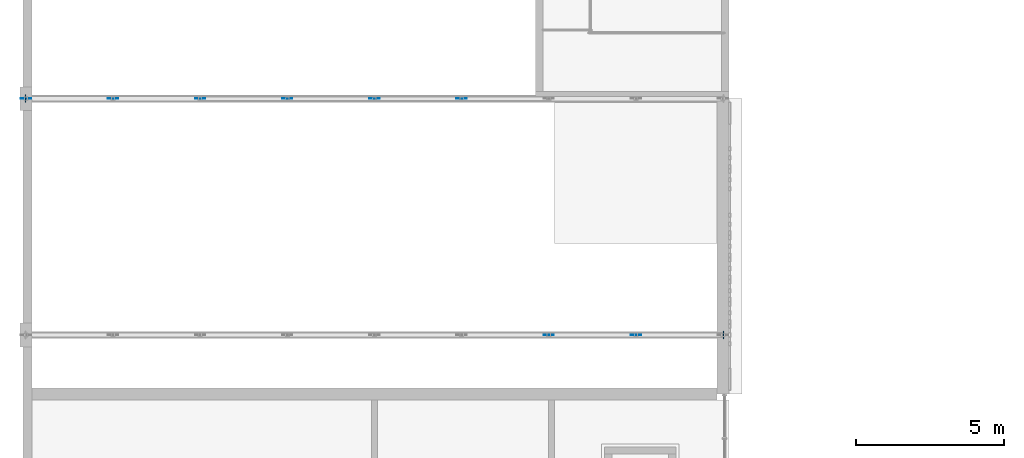
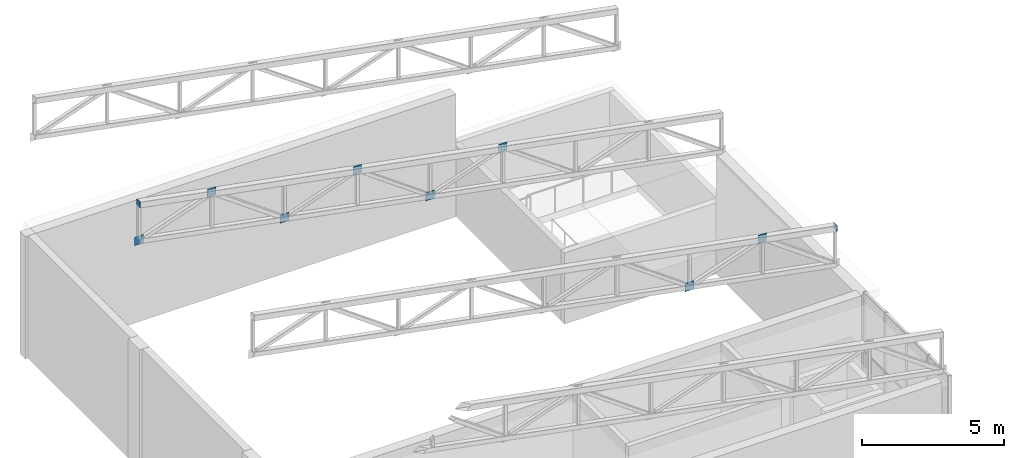
# One storey, part 84 of 125: 10 discrete accessories.
"""IFC4 building model written with IfcOpenShell, lengths in metres."""

from ifc_helpers import new_model, si_unit, direction, frame, origin, origin_2d, place, context, subcontext, project, spatial, rectangle, extrude, material, material_profile, profile_set, type_object, element, save


model = new_model("IFC4")

# Units and contexts
model_context = context("Model", 3, precision=1e-05, world=origin(), true_north=direction((0.0, 1.0)))
body_context = subcontext(model_context, "Body", "Model", "MODEL_VIEW")
ifc_project = project(units=[si_unit("LENGTHUNIT", "METRE"), si_unit("AREAUNIT", "SQUARE_METRE"), si_unit("VOLUMEUNIT", "CUBIC_METRE"), si_unit("PLANEANGLEUNIT", "RADIAN"), si_unit("MASSUNIT", "GRAM", prefix="KILO")], contexts=[model_context])

# Site, building, storey
site_placement = place(None, origin())
site = spatial("IfcSite", under=ifc_project, at=site_placement, CompositionType="ELEMENT")
building_placement = place(site_placement, origin())
building = spatial("IfcBuilding", under=site, at=building_placement, Name="Sun Court Science Centre", CompositionType="ELEMENT")
storey_placement = place(building_placement, frame((0.0, 0.0, 6.0)))
storey = spatial("IfcBuildingStorey", under=building, at=storey_placement, Name="L01", CompositionType="ELEMENT", Elevation=6.0)

# Discrete accessories
ifc_material_1 = material(Name="Steel S355", Category="steel")
discrete_accessory_type_1 = type_object("IfcDiscreteAccessoryType", Name="Hollow section end plate 20", PredefinedType="BRACKET", material=ifc_material_1)
for number, where, z_axis, x_axis, name in (
    (1, (23.81005859375, 56.0, 6.367431640625), (0.0, 0.0, 1.0), (1.0, 0.0, 0.0), "Roof truss 2 top chord end plate"),
    (2, (0.18994140625, 64.0, 10.79248046875), (0.0, 0.0, 1.0), (1.0, 0.0, 0.0), "Roof truss 3 top chord end plate"),
):
    element("IfcDiscreteAccessory", number, at=place(storey_placement, frame(where, z_axis=z_axis, x_axis=x_axis)), inside=storey, type_object=discrete_accessory_type_1, Name=name, PredefinedType="BRACKET", context=body_context, shape_type="SweptSolid", body=[
        extrude(rectangle(XDim=0.02001953125, YDim=0.25, at=origin_2d()), origin(), (0.0, 0.0, 1.0), 0.25),
    ])
ifc_material_2 = material(Name="Steel S355", Category="steel")
ifc_material_profile = material_profile(ifc_material_2, rectangle(XDim=0.35009765625, YDim=0.35009765625, at=origin_2d()), Name="PL 350x350")
ifc_profile_set = profile_set([ifc_material_profile], Name="Steel S355")
discrete_accessory_type_2 = type_object("IfcDiscreteAccessoryType", Name="Truss gusset plate 350x350x15", PredefinedType="BRACKET", material=ifc_profile_set)
for number, where, z_axis, x_axis, name in (
    (3, (17.89990234375, 55.992431640625, 6.023681640625), (0.0, 1.0, 0.0), (-1.0, 0.0, 0.0), "Truss gusset plate 16"),
    (4, (20.85009765625, 55.992431640625, 7.045654296875), (0.0, 1.0, 0.0), (-1.0, 0.0, 0.0), "Truss gusset plate 17"),
    (5, (0.199951171875, 63.992431640625, 9.342529296875), (0.0, 1.0, 0.0), (-1.0, 0.0, 0.0), "Truss gusset plate 19"),
    (6, (3.14990234375, 63.992431640625, 10.3642578125), (0.0, 1.0, 0.0), (-1.0, 0.0, 0.0), "Truss gusset plate 20"),
    (7, (6.10009765625, 63.992431640625, 8.236328125), (0.0, 1.0, 0.0), (-1.0, 0.0, 0.0), "Truss gusset plate 21"),
    (8, (9.050048828125, 63.992431640625, 9.258056640625), (0.0, 1.0, 0.0), (-1.0, 0.0, 0.0), "Truss gusset plate 22"),
    (9, (12.0, 63.992431640625, 7.1298828125), (0.0, 1.0, 0.0), (-1.0, 0.0, 0.0), "Truss gusset plate 23"),
    (10, (14.949951171875, 63.992431640625, 8.15185546875), (0.0, 1.0, 0.0), (-1.0, 0.0, 0.0), "Truss gusset plate 24"),
):
    element("IfcDiscreteAccessory", number, at=place(storey_placement, frame(where, z_axis=z_axis, x_axis=x_axis)), inside=storey, type_object=discrete_accessory_type_2, Name=name, PredefinedType="BRACKET", context=body_context, shape_type="SweptSolid", body=[
        extrude(rectangle(XDim=0.35009765625, YDim=0.35009765625, at=origin_2d()), origin(), (0.0, 0.0, 1.0), 0.01513671875),
    ])

save(model, "model.ifc")
